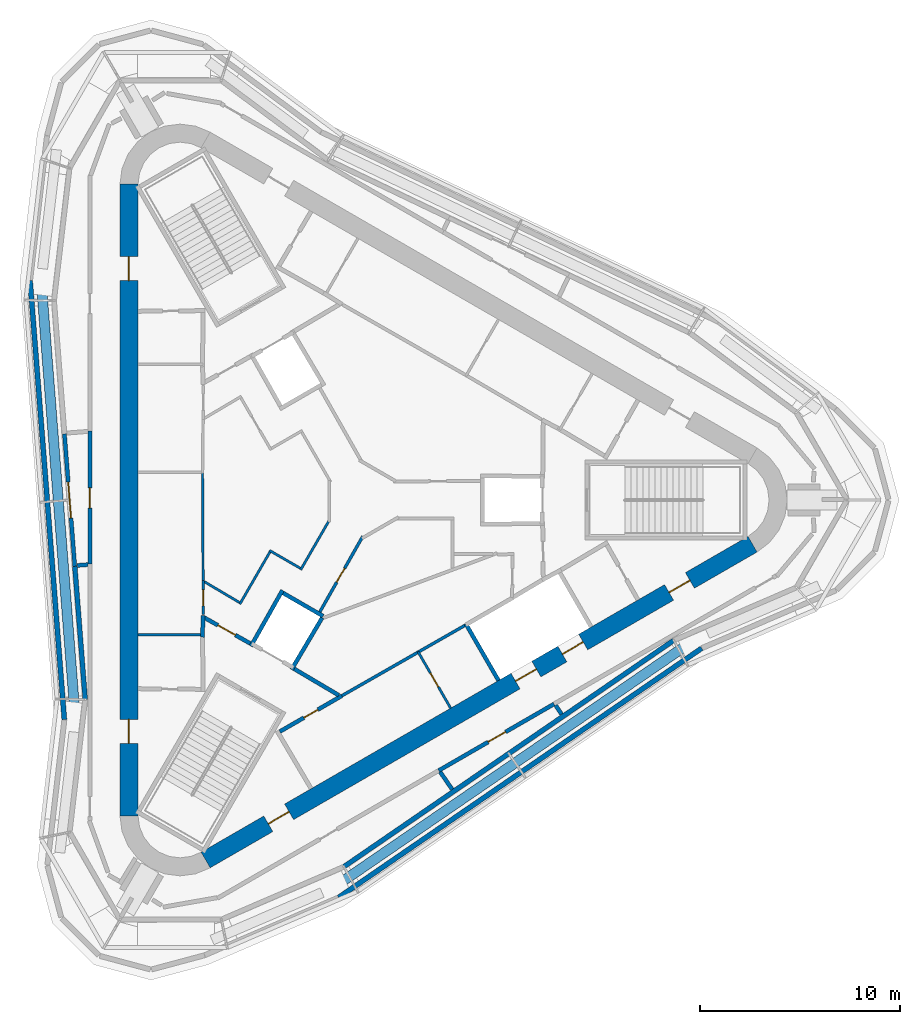
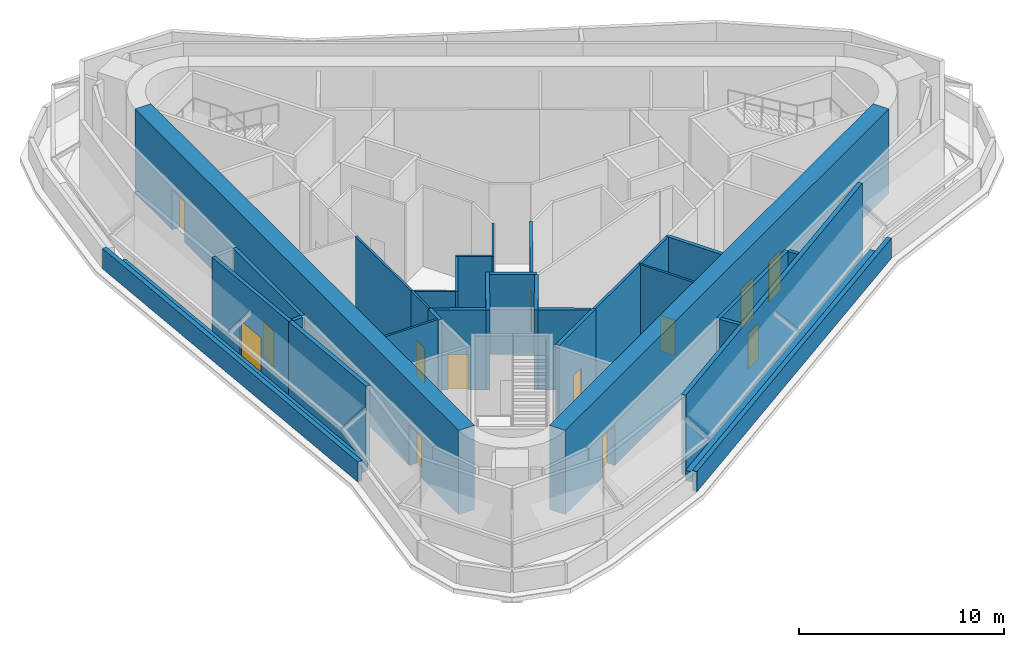
# One storey, part 3 of 7: 32 walls, 14 doors, 14 openings.
"""IFC4 building model written with IfcOpenShell, lengths in metres."""

from ifc_helpers import new_model, si_unit, direction, frame, frame_2d, origin, place, context, subcontext, project, spatial, rectangle, extrude, material, layer, layer_set, type_object, element, fill, save


model = new_model("IFC4")

# Units and contexts
model_context = context("Model", 3, precision=1e-05, world=origin(), true_north=direction((0.0, 1.0)))
body_context = subcontext(model_context, "Body", "Model", "MODEL_VIEW")
ifc_project = project(units=[si_unit("LENGTHUNIT", "METRE"), si_unit("AREAUNIT", "SQUARE_METRE"), si_unit("VOLUMEUNIT", "CUBIC_METRE"), si_unit("PLANEANGLEUNIT", "RADIAN"), si_unit("MASSUNIT", "GRAM", prefix="KILO")], contexts=[model_context])

# Site, building, storey
site_placement = place(None, origin())
site = spatial("IfcSite", under=ifc_project, at=site_placement, CompositionType="ELEMENT")
building_placement = place(site_placement, origin())
building = spatial("IfcBuilding", under=site, at=building_placement, Name="Tanit Gate Tower", CompositionType="ELEMENT")
storey_placement = place(building_placement, frame((0.0, 0.0, 425.300048828125)))
storey = spatial("IfcBuildingStorey", under=building, at=storey_placement, Name="L96", CompositionType="ELEMENT", Elevation=425.300048828125)

# Wall, openings, doors
ifc_material_1 = material(Name="Concrete C40/50", Category="concrete")
ifc_layer_1 = layer(ifc_material_1, 0.89990234375)
ifc_layer_set_1 = layer_set([ifc_layer_1], Name="CORE WALL 900 C40/50")
wall_type_1 = type_object("IfcWallType", Name="CORE WALL 900 C40/50", PredefinedType="SHEAR", material=ifc_layer_set_1)
wall_1_placement = place(storey_placement, frame((-11.64990234375, 15.76171875, 0.0), z_axis=(0.0, 0.0, 1.0), x_axis=(0.0, -1.0, 0.0)))
wall_1 = element("IfcWall", 1, at=wall_1_placement, inside=storey, type_object=wall_type_1, Name="CORE WALL", PredefinedType="SHEAR", context=body_context, shape_type="SweptSolid", body=[
    extrude(rectangle(XDim=31.5234375, YDim=0.89990234375, at=frame_2d((15.76171875, 0.0))), origin(), (0.0, 0.0, 1.0), 5.0),
])
opening_1_placement = place(wall_1_placement, frame((3.61181640625, 0.0, 0.0)))
opening_1 = element("IfcOpeningElement", 2, at=opening_1_placement, cuts=wall_1, Name="Opening F12-96-FL2", PredefinedType="OPENING", context=body_context, shape_type="SweptSolid", body=[
    extrude(rectangle(XDim=1.199951171875, YDim=2.39990234375, at=frame_2d((0.60009765625, 1.199951171875))), frame((0.0, 0.4599609375, 0.0), z_axis=(0.0, -1.0, 0.0), x_axis=(1.0, 0.0, 0.0)), (0.0, 0.0, 1.0), 0.919921875),
])
opening_2_placement = place(wall_1_placement, frame((26.711669921875, 0.0, 0.0)))
opening_2 = element("IfcOpeningElement", 3, at=opening_2_placement, cuts=wall_1, Name="Opening F12-96-S3", PredefinedType="OPENING", context=body_context, shape_type="SweptSolid", body=[
    extrude(rectangle(XDim=1.199951171875, YDim=2.39990234375, at=frame_2d((0.60009765625, 1.199951171875))), frame((0.0, 0.4599609375, 0.0), z_axis=(0.0, -1.0, 0.0), x_axis=(1.0, 0.0, 0.0)), (0.0, 0.0, 1.0), 0.919921875),
])
ifc_material_2 = material(Name="Fire-rated steel door leaf", Category="steel")
door_type_1 = type_object("IfcDoorType", Name="INT-DOOR-FIRE-LOBBY-1200", OperationType="NOTDEFINED", PredefinedType="USERDEFINED", material=ifc_material_2)
door_1_placement = place(opening_1_placement, origin())
door_1 = element("IfcDoor", 4, at=door_1_placement, inside=storey, type_object=door_type_1, Name="Door F12-96-FL2", ObjectType="FIRE DOOR", OperationType="SINGLE_SWING_RIGHT", OverallHeight=2.39990234375, OverallWidth=1.199951171875, PredefinedType="USERDEFINED", context=body_context, shape_type="SweptSolid", body=[
    extrude(rectangle(XDim=1.199951171875, YDim=2.39990234375, at=frame_2d((0.60009765625, 1.199951171875))), frame((0.0, 0.02490234375, 0.0), z_axis=(0.0, -1.0, 0.0), x_axis=(1.0, 0.0, 0.0)), (0.0, 0.0, 1.0), 0.050048828125),
])
fill(opening_1, door_1)
door_2_placement = place(opening_2_placement, origin())
door_2 = element("IfcDoor", 5, at=door_2_placement, inside=storey, type_object=door_type_1, Name="Door F12-96-S3", ObjectType="FIRE DOOR", OperationType="SINGLE_SWING_RIGHT", OverallHeight=2.39990234375, OverallWidth=1.199951171875, PredefinedType="USERDEFINED", context=body_context, shape_type="SweptSolid", body=[
    extrude(rectangle(XDim=1.199951171875, YDim=2.39990234375, at=frame_2d((0.60009765625, 1.199951171875))), frame((0.0, 0.02490234375, 0.0), z_axis=(0.0, -1.0, 0.0), x_axis=(1.0, 0.0, 0.0)), (0.0, 0.0, 1.0), 0.050048828125),
])
fill(opening_2, door_2)

wall_2_placement = place(storey_placement, frame((-7.824951171875, -17.969970703125, 0.0), z_axis=(0.0, 0.0, 1.0), x_axis=(0.866028369851, 0.499994862586, 0.0)))
wall_2 = element("IfcWall", 6, at=wall_2_placement, inside=storey, type_object=wall_type_1, Name="CORE WALL", PredefinedType="SHEAR", context=body_context, shape_type="SweptSolid", body=[
    extrude(rectangle(XDim=31.523193359375, YDim=0.89990234375, at=frame_2d((15.76171875, 0.0))), origin(), (0.0, 0.0, 1.0), 5.0),
])
opening_3_placement = place(wall_2_placement, frame((17.861572265625, 0.0, 0.0)))
opening_3 = element("IfcOpeningElement", 7, at=opening_3_placement, cuts=wall_2, Name="Opening LDSV1-96", PredefinedType="OPENING", context=body_context, shape_type="SweptSolid", body=[
    extrude(rectangle(XDim=1.199951171875, YDim=2.39990234375, at=frame_2d((0.60009765625, 1.199951171875))), frame((0.0, 0.4599609375, 0.0), z_axis=(0.0, -1.0, 0.0), x_axis=(1.0, 0.0, 0.0)), (0.0, 0.0, 1.0), 0.919921875),
])
opening_4_placement = place(wall_2_placement, frame((20.561767578125, 0.0, 0.0)))
opening_4 = element("IfcOpeningElement", 8, at=opening_4_placement, cuts=wall_2, Name="Opening LDSV2-96", PredefinedType="OPENING", context=body_context, shape_type="SweptSolid", body=[
    extrude(rectangle(XDim=1.199951171875, YDim=2.39990234375, at=frame_2d((0.60009765625, 1.199951171875))), frame((0.0, 0.4599609375, 0.0), z_axis=(0.0, -1.0, 0.0), x_axis=(1.0, 0.0, 0.0)), (0.0, 0.0, 1.0), 0.919921875),
])
opening_5_placement = place(wall_2_placement, frame((26.711669921875, 0.0, 0.0)))
opening_5 = element("IfcOpeningElement", 9, at=opening_5_placement, cuts=wall_2, Name="Opening F12-96-S1", PredefinedType="OPENING", context=body_context, shape_type="SweptSolid", body=[
    extrude(rectangle(XDim=1.199951171875, YDim=2.39990234375, at=frame_2d((0.60009765625, 1.199951171875))), frame((0.0, 0.4599609375, 0.0), z_axis=(0.0, -1.0, 0.0), x_axis=(1.0, 0.0, 0.0)), (0.0, 0.0, 1.0), 0.919921875),
])
opening_6_placement = place(wall_2_placement, frame((3.611572265625, 0.0, 0.0)))
opening_6 = element("IfcOpeningElement", 10, at=opening_6_placement, cuts=wall_2, Name="Opening F12-96-FL3", PredefinedType="OPENING", context=body_context, shape_type="SweptSolid", body=[
    extrude(rectangle(XDim=1.199951171875, YDim=2.39990234375, at=frame_2d((0.60009765625, 1.199951171875))), frame((0.0, 0.4599609375, 0.0), z_axis=(0.0, -1.0, 0.0), x_axis=(1.0, 0.0, 0.0)), (0.0, 0.0, 1.0), 0.919921875),
])
door_3_placement = place(opening_5_placement, origin())
door_3 = element("IfcDoor", 11, at=door_3_placement, inside=storey, type_object=door_type_1, Name="Door F12-96-S1", ObjectType="FIRE DOOR", OperationType="SINGLE_SWING_LEFT", OverallHeight=2.39990234375, OverallWidth=1.199951171875, PredefinedType="USERDEFINED", context=body_context, shape_type="SweptSolid", body=[
    extrude(rectangle(XDim=1.199951171875, YDim=2.39990234375, at=frame_2d((0.60009765625, 1.199951171875))), frame((0.0, 0.02490234375, 0.0), z_axis=(0.0, -1.0, 0.0), x_axis=(1.0, 0.0, 0.0)), (0.0, 0.0, 1.0), 0.050048828125),
])
fill(opening_5, door_3)
door_4_placement = place(opening_6_placement, origin())
door_4 = element("IfcDoor", 12, at=door_4_placement, inside=storey, type_object=door_type_1, Name="Door F12-96-FL3", ObjectType="FIRE DOOR", OperationType="SINGLE_SWING_RIGHT", OverallHeight=2.39990234375, OverallWidth=1.199951171875, PredefinedType="USERDEFINED", context=body_context, shape_type="SweptSolid", body=[
    extrude(rectangle(XDim=1.199951171875, YDim=2.39990234375, at=frame_2d((0.60009765625, 1.199951171875))), frame((0.0, 0.02490234375, 0.0), z_axis=(0.0, -1.0, 0.0), x_axis=(1.0, 0.0, 0.0)), (0.0, 0.0, 1.0), 0.050048828125),
])
fill(opening_6, door_4)
ifc_material_3 = material(Name="Stainless steel sliding door leaf", Category="steel")
door_type_2 = type_object("IfcDoorType", Name="INT-DOOR-LANDING-1200", OperationType="NOTDEFINED", PredefinedType="USERDEFINED", material=ifc_material_3)
door_5_placement = place(opening_3_placement, origin())
door_5 = element("IfcDoor", 13, at=door_5_placement, inside=storey, type_object=door_type_2, Name="Door LDSV1-96", ObjectType="LANDING DOOR", OperationType="SLIDING_TO_LEFT", OverallHeight=2.39990234375, OverallWidth=1.199951171875, PredefinedType="USERDEFINED", context=body_context, shape_type="SweptSolid", body=[
    extrude(rectangle(XDim=1.199951171875, YDim=2.39990234375, at=frame_2d((0.60009765625, 1.199951171875))), frame((0.0, 0.02490234375, 0.0), z_axis=(0.0, -1.0, 0.0), x_axis=(1.0, 0.0, 0.0)), (0.0, 0.0, 1.0), 0.050048828125),
])
fill(opening_3, door_5)
door_6_placement = place(opening_4_placement, origin())
door_6 = element("IfcDoor", 14, at=door_6_placement, inside=storey, type_object=door_type_2, Name="Door LDSV2-96", ObjectType="LANDING DOOR", OperationType="SLIDING_TO_LEFT", OverallHeight=2.39990234375, OverallWidth=1.199951171875, PredefinedType="USERDEFINED", context=body_context, shape_type="SweptSolid", body=[
    extrude(rectangle(XDim=1.199951171875, YDim=2.39990234375, at=frame_2d((0.60009765625, 1.199951171875))), frame((0.0, 0.02490234375, 0.0), z_axis=(0.0, -1.0, 0.0), x_axis=(1.0, 0.0, 0.0)), (0.0, 0.0, 1.0), 0.050048828125),
])
fill(opening_4, door_6)

# Wall, opening, door
ifc_material_4 = material(Name="Concrete C30/37 rendered", Category="concrete")
ifc_layer_2 = layer(ifc_material_4, 0.199951171875)
ifc_layer_set_2 = layer_set([ifc_layer_2], Name="Facade wall 200 rendered")
wall_type_2 = type_object("IfcWallType", Name="Facade wall 200 rendered", PredefinedType="SOLIDWALL", material=ifc_layer_set_2)
wall_3_placement = place(storey_placement, frame((-14.871337890625, 3.302001953125, 0.0), z_axis=(0.0, 0.0, 1.0), x_axis=(0.07782303262, -0.996967188825, 0.0)))
wall_3 = element("IfcWall", 15, at=wall_3_placement, inside=storey, type_object=wall_type_2, Name="Facade wall L96 W2.2", PredefinedType="SOLIDWALL", context=body_context, shape_type="SweptSolid", body=[
    extrude(rectangle(XDim=6.628662109375, YDim=0.199951171875, at=frame_2d((3.314453125, 0.0))), origin(), (0.0, 0.0, 1.0), 4.75),
])
opening_7_placement = place(wall_3_placement, frame((2.414306640625, 0.0, 0.0)))
opening_7 = element("IfcOpeningElement", 16, at=opening_7_placement, cuts=wall_3, Name="Opening D2", PredefinedType="OPENING", context=body_context, shape_type="SweptSolid", body=[
    extrude(rectangle(XDim=1.800048828125, YDim=2.39990234375, at=frame_2d((0.89990234375, 1.199951171875))), frame((0.0, 0.10986328125, 0.0), z_axis=(0.0, -1.0, 0.0), x_axis=(1.0, 0.0, 0.0)), (0.0, 0.0, 1.0), 0.219970703125),
])
ifc_material_5 = material(Name="Aluminium bronze anodised and glass", Category="aluminium")
door_type_3 = type_object("IfcDoorType", Name="Terrace door double 1800x2400", OperationType="DOUBLE_DOOR_SINGLE_SWING", PredefinedType="DOOR", material=ifc_material_5)
door_7_placement = place(opening_7_placement, frame((1.800048828125, 0.0, 0.0), z_axis=(0.0, 0.0, 1.0), x_axis=(-1.0, 0.0, 0.0)))
door_7 = element("IfcDoor", 17, at=door_7_placement, inside=storey, type_object=door_type_3, Name="Terrace door", OperationType="SINGLE_SWING_RIGHT", OverallHeight=2.39990234375, OverallWidth=1.800048828125, PredefinedType="DOOR", context=body_context, shape_type="SweptSolid", body=[
    extrude(rectangle(XDim=1.800048828125, YDim=2.39990234375, at=frame_2d((0.89990234375, 1.199951171875))), frame((0.0, 0.02490234375, 0.0), z_axis=(0.0, -1.0, 0.0), x_axis=(1.0, 0.0, 0.0)), (0.0, 0.0, 1.0), 0.050048828125),
])
fill(opening_7, door_7)

# Walls
ifc_material_6 = material(Name="Concrete C30/37 with bronze anodised aluminium cladding", Category="concrete")
ifc_layer_3 = layer(ifc_material_6, 0.239990234375)
ifc_layer_set_3 = layer_set([ifc_layer_3], Name="Facade wall bronze clad 240")
wall_type_3 = type_object("IfcWallType", Name="Facade wall bronze clad 240", PredefinedType="SOLIDWALL", material=ifc_layer_set_3)
wall_4_placement = place(storey_placement, frame((-14.35546875, -3.306640625, 0.0), z_axis=(0.0, 0.0, 1.0), x_axis=(0.07783308516, -0.996966404075, 0.0)))
element("IfcWall", 18, at=wall_4_placement, inside=storey, type_object=wall_type_3, Name="Bronze-clad facade wall L96 W2b", PredefinedType="SOLIDWALL", context=body_context, shape_type="SweptSolid", body=[
    extrude(rectangle(XDim=6.668701171875, YDim=0.239990234375, at=frame_2d((3.33447265625, 0.0))), origin(), (0.0, 0.0, 1.0), 4.75),
])
wall_5_placement = place(storey_placement, frame((-0.922119140625, -18.3037109375, 0.0), z_axis=(0.0, 0.0, 1.0), x_axis=(0.824481583442, 0.565888786393, 0.0)))
element("IfcWall", 19, at=wall_5_placement, inside=storey, type_object=wall_type_3, Name="Bronze-clad facade wall L96 SE2", PredefinedType="SOLIDWALL", context=body_context, shape_type="SweptSolid", body=[
    extrude(rectangle(XDim=19.966064453125, YDim=0.239990234375, at=frame_2d((9.98291015625, 0.0))), origin(), (0.0, 0.0, 1.0), 4.75),
])
ifc_material_7 = material(Name="Fire-rated gypsum board partition")
ifc_layer_4 = layer(ifc_material_7, 0.199951171875)
ifc_layer_set_4 = layer_set([ifc_layer_4], Name="INT-WALL-COMPARTMENT")
wall_type_4 = type_object("IfcWallType", Name="INT-WALL-COMPARTMENT", PredefinedType="PARTITIONING", material=ifc_layer_set_4)
wall_6_placement = place(storey_placement, frame((-7.983154296875, -6.849853515625, 0.0), z_axis=(0.0, 0.0, 1.0), x_axis=(0.030803413295, 0.999525462272, 0.0)))
element("IfcWall", 20, at=wall_6_placement, inside=storey, type_object=wall_type_4, Name="Wall Compartment W041", PredefinedType="PARTITIONING", context=body_context, shape_type="SweptSolid", body=[
    extrude(rectangle(XDim=1.077880859375, YDim=0.199951171875, at=frame_2d((0.5390625, 0.0))), origin(), (0.0, 0.0, 1.0), 4.75),
])

# Wall, opening, door
wall_7_placement = place(storey_placement, frame((-1.02392578125, -9.77099609375, 0.0), z_axis=(0.0, 0.0, 1.0), x_axis=(-0.866029903013, -0.499992207027, 0.0)))
wall_7 = element("IfcWall", 21, at=wall_7_placement, inside=storey, type_object=wall_type_4, Name="Wall Compartment W059", PredefinedType="PARTITIONING", context=body_context, shape_type="SweptSolid", body=[
    extrude(rectangle(XDim=3.57763671875, YDim=0.199951171875, at=frame_2d((1.788818359375, 0.0))), origin(), (0.0, 0.0, 1.0), 4.75),
])
opening_8_placement = place(wall_7_placement, frame((1.388916015625, 0.0, 0.0)))
opening_8 = element("IfcOpeningElement", 22, at=opening_8_placement, cuts=wall_7, Name="Opening R08-96-21", PredefinedType="OPENING", context=body_context, shape_type="SweptSolid", body=[
    extrude(rectangle(XDim=0.800048828125, YDim=2.10009765625, at=frame_2d((0.39990234375, 1.050048828125))), frame((0.0, 0.10986328125, 0.0), z_axis=(0.0, -1.0, 0.0), x_axis=(1.0, 0.0, 0.0)), (0.0, 0.0, 1.0), 0.219970703125),
])
ifc_material_8 = material(Name="Timber door leaf", Category="wood")
door_type_4 = type_object("IfcDoorType", Name="INT-DOOR-RISER-800", OperationType="NOTDEFINED", PredefinedType="USERDEFINED", material=ifc_material_8)
door_8_placement = place(opening_8_placement, origin())
door_8 = element("IfcDoor", 23, at=door_8_placement, inside=storey, type_object=door_type_4, Name="Door R08-96-21", ObjectType="FIRE DOOR", OperationType="SINGLE_SWING_LEFT", OverallHeight=2.10009765625, OverallWidth=0.800048828125, PredefinedType="USERDEFINED", context=body_context, shape_type="SweptSolid", body=[
    extrude(rectangle(XDim=0.800048828125, YDim=2.10009765625, at=frame_2d((0.39990234375, 1.050048828125))), frame((0.0, 0.02490234375, 0.0), z_axis=(0.0, -1.0, 0.0), x_axis=(1.0, 0.0, 0.0)), (0.0, 0.0, 1.0), 0.050048828125),
])
fill(opening_8, door_8)

# Wall
wall_8_placement = place(storey_placement, frame((-3.400634765625, -8.43017578125, 0.0), z_axis=(0.0, 0.0, 1.0), x_axis=(0.860630814782, -0.509229418482, 0.0)))
element("IfcWall", 24, at=wall_8_placement, inside=storey, type_object=wall_type_4, Name="Wall Compartment W068", PredefinedType="PARTITIONING", context=body_context, shape_type="SweptSolid", body=[
    extrude(rectangle(XDim=2.581787109375, YDim=0.199951171875, at=frame_2d((1.291015625, 0.0))), origin(), (0.0, 0.0, 1.0), 4.75),
])

# Wall, opening, door
wall_9_placement = place(storey_placement, frame((-7.9609375, -5.830810546875, 0.0), z_axis=(0.0, 0.0, 1.0), x_axis=(0.871337173459, -0.490684756385, 0.0)))
wall_9 = element("IfcWall", 25, at=wall_9_placement, inside=storey, type_object=wall_type_4, Name="Wall Compartment W069", PredefinedType="PARTITIONING", context=body_context, shape_type="SweptSolid", body=[
    extrude(rectangle(XDim=2.709228515625, YDim=0.199951171875, at=frame_2d((1.3544921875, 0.0))), origin(), (0.0, 0.0, 1.0), 4.75),
])
opening_9_placement = place(wall_9_placement, frame((0.86083984375, 0.0, 0.0)))
opening_9 = element("IfcOpeningElement", 26, at=opening_9_placement, cuts=wall_9, Name="Opening F10-96-08", PredefinedType="OPENING", context=body_context, shape_type="SweptSolid", body=[
    extrude(rectangle(XDim=1.0, YDim=2.10009765625, at=frame_2d((0.5, 1.050048828125))), frame((0.0, 0.10986328125, 0.0), z_axis=(0.0, -1.0, 0.0), x_axis=(1.0, 0.0, 0.0)), (0.0, 0.0, 1.0), 0.219970703125),
])
ifc_material_9 = material(Name="Fire-rated steel door leaf", Category="steel")
door_type_5 = type_object("IfcDoorType", Name="INT-DOOR-FIRE-1000", OperationType="NOTDEFINED", PredefinedType="USERDEFINED", material=ifc_material_9)
door_9_placement = place(opening_9_placement, origin())
door_9 = element("IfcDoor", 27, at=door_9_placement, inside=storey, type_object=door_type_5, Name="Door F10-96-08", ObjectType="FIRE DOOR", OperationType="SINGLE_SWING_RIGHT", OverallHeight=2.10009765625, OverallWidth=1.0, PredefinedType="USERDEFINED", context=body_context, shape_type="SweptSolid", body=[
    extrude(rectangle(XDim=1.0, YDim=2.10009765625, at=frame_2d((0.5, 1.050048828125))), frame((0.0, 0.02490234375, 0.0), z_axis=(0.0, -1.0, 0.0), x_axis=(1.0, 0.0, 0.0)), (0.0, 0.0, 1.0), 0.050048828125),
])
fill(opening_9, door_9)

wall_10_placement = place(storey_placement, frame((-13.60009765625, 3.455322265625, 0.0), z_axis=(0.0, 0.0, 1.0), x_axis=(0.0, -1.0, 0.0)))
wall_10 = element("IfcWall", 28, at=wall_10_placement, inside=storey, type_object=wall_type_4, Name="Wall Compartment W093", PredefinedType="PARTITIONING", context=body_context, shape_type="SweptSolid", body=[
    extrude(rectangle(XDim=6.64892578125, YDim=0.199951171875, at=frame_2d((3.324462890625, 0.0))), origin(), (0.0, 0.0, 1.0), 4.75),
])
opening_10_placement = place(wall_10_placement, frame((2.856201171875, 0.0, 0.0)))
opening_10 = element("IfcOpeningElement", 29, at=opening_10_placement, cuts=wall_10, Name="Opening F10-96-25", PredefinedType="OPENING", context=body_context, shape_type="SweptSolid", body=[
    extrude(rectangle(XDim=1.0, YDim=2.10009765625, at=frame_2d((0.5, 1.050048828125))), frame((0.0, 0.10986328125, 0.0), z_axis=(0.0, -1.0, 0.0), x_axis=(1.0, 0.0, 0.0)), (0.0, 0.0, 1.0), 0.219970703125),
])
door_10_placement = place(opening_10_placement, origin())
door_10 = element("IfcDoor", 30, at=door_10_placement, inside=storey, type_object=door_type_5, Name="Door F10-96-25", ObjectType="FIRE DOOR", OperationType="SINGLE_SWING_LEFT", OverallHeight=2.10009765625, OverallWidth=1.0, PredefinedType="USERDEFINED", context=body_context, shape_type="SweptSolid", body=[
    extrude(rectangle(XDim=1.0, YDim=2.10009765625, at=frame_2d((0.5, 1.050048828125))), frame((0.0, 0.02490234375, 0.0), z_axis=(0.0, -1.0, 0.0), x_axis=(1.0, 0.0, 0.0)), (0.0, 0.0, 1.0), 0.050048828125),
])
fill(opening_10, door_10)

# Wall
wall_11_placement = place(storey_placement, frame((-13.699951171875, -3.2255859375, 0.0), z_axis=(0.0, 0.0, 1.0), x_axis=(-0.996984255574, -0.077604085828, 0.0)))
element("IfcWall", 31, at=wall_11_placement, inside=storey, type_object=wall_type_4, Name="Wall Compartment W100", PredefinedType="PARTITIONING", context=body_context, shape_type="SweptSolid", body=[
    extrude(rectangle(XDim=0.534912109375, YDim=0.199951171875, at=frame_2d((0.267578125, 0.0))), origin(), (0.0, 0.0, 1.0), 4.75),
])

# Wall, opening, door
wall_12_placement = place(storey_placement, frame((3.8076171875, -13.505615234375, 0.0), z_axis=(0.0, 0.0, 1.0), x_axis=(0.866031500321, 0.49998944034, 0.0)))
wall_12 = element("IfcWall", 32, at=wall_12_placement, inside=storey, type_object=wall_type_4, Name="Wall Compartment W115", PredefinedType="PARTITIONING", context=body_context, shape_type="SweptSolid", body=[
    extrude(rectangle(XDim=6.649169921875, YDim=0.199951171875, at=frame_2d((3.32470703125, 0.0))), origin(), (0.0, 0.0, 1.0), 4.75),
])
opening_11_placement = place(wall_12_placement, frame((2.856201171875, 0.0, 0.0)))
opening_11 = element("IfcOpeningElement", 33, at=opening_11_placement, cuts=wall_12, Name="Opening F10-96-31", PredefinedType="OPENING", context=body_context, shape_type="SweptSolid", body=[
    extrude(rectangle(XDim=1.0, YDim=2.10009765625, at=frame_2d((0.5, 1.050048828125))), frame((0.0, 0.10986328125, 0.0), z_axis=(0.0, -1.0, 0.0), x_axis=(1.0, 0.0, 0.0)), (0.0, 0.0, 1.0), 0.219970703125),
])
door_11_placement = place(opening_11_placement, origin())
door_11 = element("IfcDoor", 34, at=door_11_placement, inside=storey, type_object=door_type_5, Name="Door F10-96-31", ObjectType="FIRE DOOR", OperationType="SINGLE_SWING_RIGHT", OverallHeight=2.10009765625, OverallWidth=1.0, PredefinedType="USERDEFINED", context=body_context, shape_type="SweptSolid", body=[
    extrude(rectangle(XDim=1.0, YDim=2.10009765625, at=frame_2d((0.5, 1.050048828125))), frame((0.0, 0.02490234375, 0.0), z_axis=(0.0, -1.0, 0.0), x_axis=(1.0, 0.0, 0.0)), (0.0, 0.0, 1.0), 0.050048828125),
])
fill(opening_11, door_11)

# Walls
wall_13_placement = place(storey_placement, frame((4.480712890625, -14.44384765625, 0.0), z_axis=(0.0, 0.0, 1.0), x_axis=(-0.565839404431, 0.824515474927, 0.0)))
element("IfcWall", 35, at=wall_13_placement, inside=storey, type_object=wall_type_4, Name="Wall Compartment W119", PredefinedType="PARTITIONING", context=body_context, shape_type="SweptSolid", body=[
    extrude(rectangle(XDim=1.05224609375, YDim=0.199951171875, at=frame_2d((0.526123046875, 0.0))), origin(), (0.0, 0.0, 1.0), 4.75),
])
wall_14_placement = place(storey_placement, frame((9.643310546875, -10.251708984375, 0.0), z_axis=(0.0, 0.0, 1.0), x_axis=(0.565501745664, -0.824747097995, 0.0)))
element("IfcWall", 36, at=wall_14_placement, inside=storey, type_object=wall_type_4, Name="Wall Compartment W120", PredefinedType="PARTITIONING", context=body_context, shape_type="SweptSolid", body=[
    extrude(rectangle(XDim=0.534912109375, YDim=0.199951171875, at=frame_2d((0.267578125, 0.0))), origin(), (0.0, 0.0, 1.0), 4.75),
])

# Wall, opening, door
ifc_material_10 = material(Name="Gypsum board partition")
ifc_layer_5 = layer(ifc_material_10, 0.1201171875)
ifc_layer_set_5 = layer_set([ifc_layer_5], Name="INT-WALL-PARTITION")
wall_type_5 = type_object("IfcWallType", Name="INT-WALL-PARTITION", PredefinedType="PARTITIONING", material=ifc_layer_set_5)
wall_15_placement = place(storey_placement, frame((-7.949951171875, -5.72216796875, 0.0), z_axis=(0.0, 0.0, 1.0), x_axis=(0.0, 1.0, 0.0)))
wall_15 = element("IfcWall", 37, at=wall_15_placement, inside=storey, type_object=wall_type_5, Name="Wall Partition W043", PredefinedType="PARTITIONING", context=body_context, shape_type="SweptSolid", body=[
    extrude(rectangle(XDim=1.701904296875, YDim=0.1201171875, at=frame_2d((0.85107421875, 0.0))), origin(), (0.0, 0.0, 1.0), 4.75),
])
opening_12_placement = place(wall_15_placement, frame((0.440673828125, 0.0, 0.0)))
opening_12 = element("IfcOpeningElement", 38, at=opening_12_placement, cuts=wall_15, Name="Opening R08-96-16", PredefinedType="OPENING", context=body_context, shape_type="SweptSolid", body=[
    extrude(rectangle(XDim=0.800048828125, YDim=2.10009765625, at=frame_2d((0.39990234375, 1.050048828125))), frame((0.0, 0.070068359375, 0.0), z_axis=(0.0, -1.0, 0.0), x_axis=(1.0, 0.0, 0.0)), (0.0, 0.0, 1.0), 0.14013671875),
])
door_12_placement = place(opening_12_placement, origin())
door_12 = element("IfcDoor", 39, at=door_12_placement, inside=storey, type_object=door_type_4, Name="Door R08-96-16", ObjectType="FIRE DOOR", OperationType="SINGLE_SWING_RIGHT", OverallHeight=2.10009765625, OverallWidth=0.800048828125, PredefinedType="USERDEFINED", context=body_context, shape_type="SweptSolid", body=[
    extrude(rectangle(XDim=0.800048828125, YDim=2.10009765625, at=frame_2d((0.39990234375, 1.050048828125))), frame((0.0, 0.02490234375, 0.0), z_axis=(0.0, -1.0, 0.0), x_axis=(1.0, 0.0, 0.0)), (0.0, 0.0, 1.0), 0.050048828125),
])
fill(opening_12, door_12)

# Walls
wall_16_placement = place(storey_placement, frame((-11.199951171875, -6.719970703125, 0.0), z_axis=(0.0, 0.0, 1.0), x_axis=(1.0, 0.0, 0.0)))
element("IfcWall", 40, at=wall_16_placement, inside=storey, type_object=wall_type_5, Name="Wall Partition W040", PredefinedType="PARTITIONING", context=body_context, shape_type="SweptSolid", body=[
    extrude(rectangle(XDim=3.25, YDim=0.1201171875, at=frame_2d((1.625, 0.0))), origin(), (0.0, 0.0, 1.0), 4.75),
])
wall_17_placement = place(storey_placement, frame((-7.97998046875, 1.35009765625, 0.0), z_axis=(0.0, 0.0, 1.0), x_axis=(0.005500666883, -0.999984871217, 0.0)))
element("IfcWall", 41, at=wall_17_placement, inside=storey, type_object=wall_type_5, Name="Wall Partition W042", PredefinedType="PARTITIONING", context=body_context, shape_type="SweptSolid", body=[
    extrude(rectangle(XDim=5.370361328125, YDim=0.1201171875, at=frame_2d((2.68505859375, 0.0))), origin(), (0.0, 0.0, 1.0), 4.75),
])

# Wall, opening, door
wall_18_placement = place(storey_placement, frame((4.40478515625, -10.389404296875, 0.0), z_axis=(0.0, 0.0, 1.0), x_axis=(-0.500017246033, 0.866015446554, 0.0)))
wall_18 = element("IfcWall", 42, at=wall_18_placement, inside=storey, type_object=wall_type_5, Name="Wall Partition W057", PredefinedType="PARTITIONING", context=body_context, shape_type="SweptSolid", body=[
    extrude(rectangle(XDim=3.25, YDim=0.1201171875, at=frame_2d((1.625, 0.0))), origin(), (0.0, 0.0, 1.0), 4.75),
])
opening_13_placement = place(wall_18_placement, frame((1.22509765625, 0.0, 0.0)))
opening_13 = element("IfcOpeningElement", 43, at=opening_13_placement, cuts=wall_18, Name="Opening R08-96-22", PredefinedType="OPENING", context=body_context, shape_type="SweptSolid", body=[
    extrude(rectangle(XDim=0.800048828125, YDim=2.10009765625, at=frame_2d((0.39990234375, 1.050048828125))), frame((0.0, 0.070068359375, 0.0), z_axis=(0.0, -1.0, 0.0), x_axis=(1.0, 0.0, 0.0)), (0.0, 0.0, 1.0), 0.14013671875),
])
door_13_placement = place(opening_13_placement, origin())
door_13 = element("IfcDoor", 44, at=door_13_placement, inside=storey, type_object=door_type_4, Name="Door R08-96-22", ObjectType="FIRE DOOR", OperationType="SINGLE_SWING_LEFT", OverallHeight=2.10009765625, OverallWidth=0.800048828125, PredefinedType="USERDEFINED", context=body_context, shape_type="SweptSolid", body=[
    extrude(rectangle(XDim=0.800048828125, YDim=2.10009765625, at=frame_2d((0.39990234375, 1.050048828125))), frame((0.0, 0.02490234375, 0.0), z_axis=(0.0, -1.0, 0.0), x_axis=(1.0, 0.0, 0.0)), (0.0, 0.0, 1.0), 0.050048828125),
])
fill(opening_13, door_13)

# Walls
wall_19_placement = place(storey_placement, frame((-3.0810546875, -3.486572265625, 0.0), z_axis=(0.0, 0.0, 1.0), x_axis=(0.499986688891, 0.86603308882, 0.0)))
element("IfcWall", 45, at=wall_19_placement, inside=storey, type_object=wall_type_5, Name="Wall Partition W086", PredefinedType="PARTITIONING", context=body_context, shape_type="SweptSolid", body=[
    extrude(rectangle(XDim=2.8525390625, YDim=0.1201171875, at=frame_2d((1.42626953125, 0.0))), origin(), (0.0, 0.0, 1.0), 4.75),
])
wall_20_placement = place(storey_placement, frame((-4.64013671875, -2.51708984375, 0.0), z_axis=(0.0, 0.0, 1.0), x_axis=(0.866025242659, -0.500000279077, 0.0)))
element("IfcWall", 46, at=wall_20_placement, inside=storey, type_object=wall_type_5, Name="Wall Partition W087", PredefinedType="PARTITIONING", context=body_context, shape_type="SweptSolid", body=[
    extrude(rectangle(XDim=1.77490234375, YDim=0.1201171875, at=frame_2d((0.887451171875, 0.0))), origin(), (0.0, 0.0, 1.0), 4.75),
])
wall_21_placement = place(storey_placement, frame((-6.1181640625, -5.197265625, 0.0), z_axis=(0.0, 0.0, 1.0), x_axis=(0.499990139034, 0.866031096941, 0.0)))
element("IfcWall", 47, at=wall_21_placement, inside=storey, type_object=wall_type_5, Name="Wall Partition W088", PredefinedType="PARTITIONING", context=body_context, shape_type="SweptSolid", body=[
    extrude(rectangle(XDim=3.0, YDim=0.1201171875, at=frame_2d((1.5, 0.0))), origin(), (0.0, 0.0, 1.0), 4.75),
])
wall_22_placement = place(storey_placement, frame((-7.889892578125, -4.07666015625, 0.0), z_axis=(0.0, 0.0, 1.0), x_axis=(0.860118010064, -0.510095097765, 0.0)))
element("IfcWall", 48, at=wall_22_placement, inside=storey, type_object=wall_type_5, Name="Wall Partition W089", PredefinedType="PARTITIONING", context=body_context, shape_type="SweptSolid", body=[
    extrude(rectangle(XDim=2.03466796875, YDim=0.1201171875, at=frame_2d((1.017333984375, 0.0))), origin(), (0.0, 0.0, 1.0), 4.75),
])
ifc_material_11 = material(Name="Fire-rated gypsum board partition")
ifc_layer_6 = layer(ifc_material_11, 0.14990234375)
ifc_layer_set_6 = layer_set([ifc_layer_6], Name="INT-WALL-RISER")
wall_type_6 = type_object("IfcWallType", Name="INT-WALL-RISER", PredefinedType="PLUMBINGWALL", material=ifc_layer_set_6)
wall_23_placement = place(storey_placement, frame((-1.02392578125, -9.771240234375, 0.0), z_axis=(0.0, 0.0, 1.0), x_axis=(0.868110220015, 0.496371479746, 0.0)))
element("IfcWall", 49, at=wall_23_placement, inside=storey, type_object=wall_type_6, Name="Wall Riser W060", PredefinedType="PLUMBINGWALL", context=body_context, shape_type="SweptSolid", body=[
    extrude(rectangle(XDim=7.12255859375, YDim=0.14990234375, at=frame_2d((3.561279296875, 0.0))), origin(), (0.0, 0.0, 1.0), 4.75),
])

# Wall, opening, door
wall_24_placement = place(storey_placement, frame((0.019775390625, -1.813720703125, 0.0), z_axis=(0.0, 0.0, 1.0), x_axis=(-0.494047106341, -0.869435136578, 0.0)))
wall_24 = element("IfcWall", 50, at=wall_24_placement, inside=storey, type_object=wall_type_6, Name="Wall Riser W074", PredefinedType="PLUMBINGWALL", context=body_context, shape_type="SweptSolid", body=[
    extrude(rectangle(XDim=4.33935546875, YDim=0.14990234375, at=frame_2d((2.169677734375, 0.0))), origin(), (0.0, 0.0, 1.0), 4.75),
])
opening_14_placement = place(wall_24_placement, frame((1.83349609375, 0.0, 0.0)))
opening_14 = element("IfcOpeningElement", 51, at=opening_14_placement, cuts=wall_24, Name="Opening R08-96-11", PredefinedType="OPENING", context=body_context, shape_type="SweptSolid", body=[
    extrude(rectangle(XDim=0.800048828125, YDim=2.10009765625, at=frame_2d((0.39990234375, 1.050048828125))), frame((0.0, 0.0849609375, 0.0), z_axis=(0.0, -1.0, 0.0), x_axis=(1.0, 0.0, 0.0)), (0.0, 0.0, 1.0), 0.169921875),
])
door_14_placement = place(opening_14_placement, origin())
door_14 = element("IfcDoor", 52, at=door_14_placement, inside=storey, type_object=door_type_4, Name="Door R08-96-11", ObjectType="FIRE DOOR", OperationType="SINGLE_SWING_LEFT", OverallHeight=2.10009765625, OverallWidth=0.800048828125, PredefinedType="USERDEFINED", context=body_context, shape_type="SweptSolid", body=[
    extrude(rectangle(XDim=0.800048828125, YDim=2.10009765625, at=frame_2d((0.39990234375, 1.050048828125))), frame((0.0, 0.02490234375, 0.0), z_axis=(0.0, -1.0, 0.0), x_axis=(1.0, 0.0, 0.0)), (0.0, 0.0, 1.0), 0.050048828125),
])
fill(opening_14, door_14)

# Walls
ifc_material_12 = material(Name="Gypsum shaft wall system")
ifc_layer_7 = layer(ifc_material_12, 0.199951171875)
ifc_layer_set_7 = layer_set([ifc_layer_7], Name="INT-WALL-SHAFT")
wall_type_7 = type_object("IfcWallType", Name="INT-WALL-SHAFT", PredefinedType="PLUMBINGWALL", material=ifc_layer_set_7)
wall_25_placement = place(storey_placement, frame((6.795166015625, -9.009521484375, 0.0), z_axis=(0.0, 0.0, 1.0), x_axis=(-0.499984717929, 0.866034226713, 0.0)))
element("IfcWall", 53, at=wall_25_placement, inside=storey, type_object=wall_type_7, Name="Wall Shaft W001", PredefinedType="PLUMBINGWALL", context=body_context, shape_type="SweptSolid", body=[
    extrude(rectangle(XDim=3.25, YDim=0.199951171875, at=frame_2d((1.625, 0.0))), origin(), (0.0, 0.0, 1.0), 4.75),
])
wall_26_placement = place(storey_placement, frame((-3.95263671875, -4.646240234375, 0.0), z_axis=(0.0, 0.0, 1.0), x_axis=(0.866053019151, -0.499952165731, 0.0)))
element("IfcWall", 54, at=wall_26_placement, inside=storey, type_object=wall_type_7, Name="Wall Shaft W032", PredefinedType="PLUMBINGWALL", context=body_context, shape_type="SweptSolid", body=[
    extrude(rectangle(XDim=2.300048828125, YDim=0.199951171875, at=frame_2d((1.14990234375, 0.0))), origin(), (0.0, 0.0, 1.0), 4.75),
])
wall_27_placement = place(storey_placement, frame((-2.00830078125, -5.87841796875, 0.0), z_axis=(0.0, 0.0, 1.0), x_axis=(-0.508893526607, -0.860829471253, 0.0)))
element("IfcWall", 55, at=wall_27_placement, inside=storey, type_object=wall_type_7, Name="Wall Shaft W030", PredefinedType="PLUMBINGWALL", context=body_context, shape_type="SweptSolid", body=[
    extrude(rectangle(XDim=3.005126953125, YDim=0.199951171875, at=frame_2d((1.50244140625, 0.0))), origin(), (0.0, 0.0, 1.0), 4.75),
])
wall_28_placement = place(storey_placement, frame((-3.989990234375, -4.509033203125, 0.0), z_axis=(0.0, 0.0, 1.0), x_axis=(-0.491358283181, -0.870957540612, 0.0)))
element("IfcWall", 56, at=wall_28_placement, inside=storey, type_object=wall_type_7, Name="Wall Shaft W031", PredefinedType="PLUMBINGWALL", context=body_context, shape_type="SweptSolid", body=[
    extrude(rectangle(XDim=3.200439453125, YDim=0.199951171875, at=frame_2d((1.60009765625, 0.0))), origin(), (0.0, 0.0, 1.0), 4.75),
])
ifc_material_13 = material(Name="Concrete C30/37", Category="concrete")
ifc_layer_8 = layer(ifc_material_13, 0.25)
ifc_layer_set_8 = layer_set([ifc_layer_8], Name="Parapet wall 250")
wall_type_8 = type_object("IfcWallType", Name="Parapet wall 250", PredefinedType="PARAPET", material=ifc_layer_set_8)
wall_29_placement = place(storey_placement, frame((16.93310546875, -7.401611328125, 0.0400390625), z_axis=(0.0, 0.0, 1.0), x_axis=(-0.824479303652, -0.565892107958, 0.0)))
element("IfcWall", 57, at=wall_29_placement, inside=storey, type_object=wall_type_8, Name="Terrace parapet L96 6", PredefinedType="PARAPET", context=body_context, shape_type="SweptSolid", body=[
    extrude(rectangle(XDim=21.974609375, YDim=0.25, at=frame_2d((10.9873046875, 0.0))), origin(), (0.0, 0.0, 1.0), 1.199951171875),
])
wall_30_placement = place(storey_placement, frame((-14.87646484375, -10.963623046875, 0.0400390625), z_axis=(0.0, 0.0, 1.0), x_axis=(-0.077838319521, 0.996965995415, 0.0)))
element("IfcWall", 58, at=wall_30_placement, inside=storey, type_object=wall_type_8, Name="Terrace parapet L96 13", PredefinedType="PARAPET", context=body_context, shape_type="SweptSolid", body=[
    extrude(rectangle(XDim=21.974365234375, YDim=0.25, at=frame_2d((10.9873046875, 0.0))), origin(), (0.0, 0.0, 1.0), 1.199951171875),
])
ifc_material_14 = material(Name="Concrete C30/37", Category="concrete")
ifc_layer_9 = layer(ifc_material_14, 0.5)
ifc_layer_set_9 = layer_set([ifc_layer_9], Name="Planter box 600")
wall_type_9 = type_object("IfcWallType", Name="Planter box 600", PredefinedType="PARAPET", material=ifc_layer_set_9)
for number, where, z_axis, x_axis, name in (
    (59, (16.181396484375, -7.25048828125, 0.0400390625), (0.0, 0.0, 1.0), (-0.824481781464, -0.56588849788, 0.0), "PLANTER"),
    (60, (-14.36962890625, -10.38818359375, 0.0400390625), (0.0, 0.0, 1.0), (-0.077848108656, 0.996965231078, 0.0), "PLANTER"),
):
    element("IfcWall", number, at=place(storey_placement, frame(where, z_axis=z_axis, x_axis=x_axis)), inside=storey, type_object=wall_type_9, Name=name, PredefinedType="PARAPET", context=body_context, shape_type="SweptSolid", body=[
        extrude(rectangle(XDim=20.798828125, YDim=0.5, at=frame_2d((10.3994140625, 0.0))), origin(), (0.0, 0.0, 1.0), 0.599853515625),
    ])

save(model, "model.ifc")
